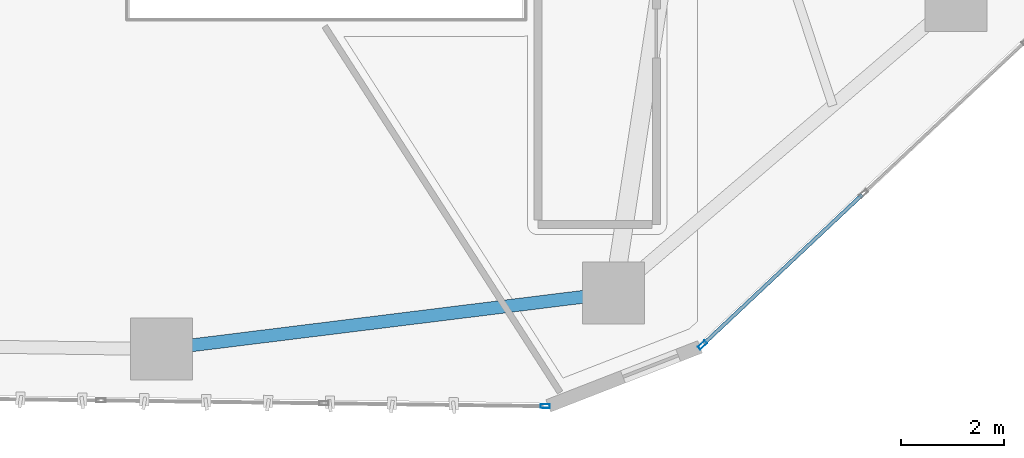
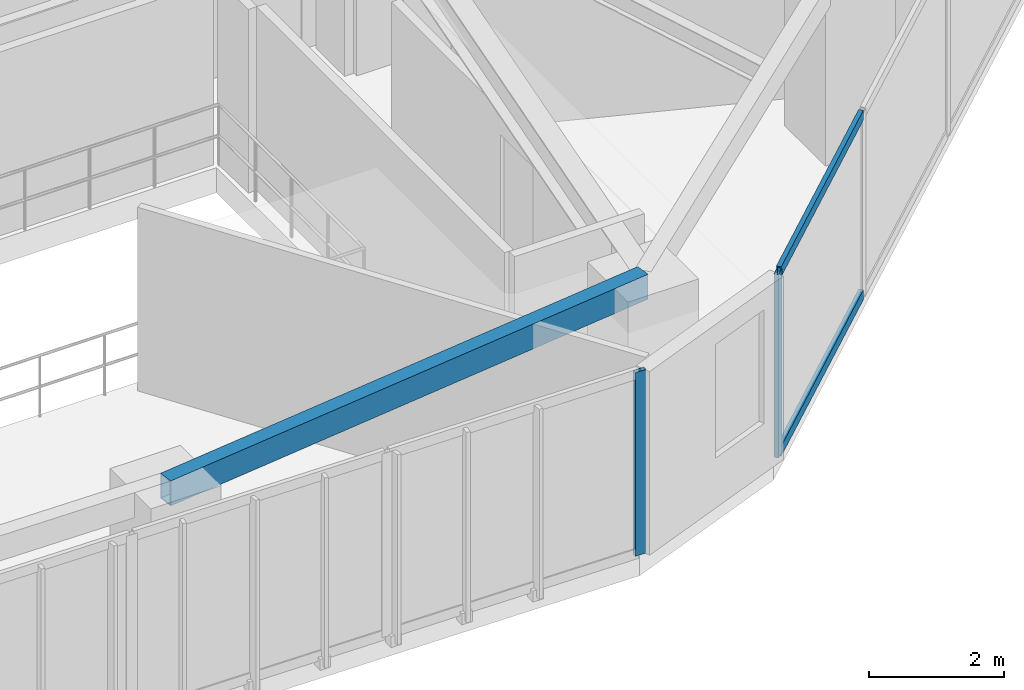
# One storey, part 6 of 22: 4 members, 1 beam, 2 elements without a shape of their own.
"""IFC4 building model written with IfcOpenShell, lengths in metres."""

from ifc_helpers import new_model, si_unit, direction, frame, origin, origin_2d, place, context, subcontext, project, spatial, hollow_rectangle, extrude, source, transform, mapped, material, layer, layer_set, material_profile, profile_set, type_object, type_shapes, element, aggregate, save


model = new_model("IFC4")

# Units and contexts
model_context = context("Model", 3, precision=1e-05, world=origin(), true_north=direction((0.0, 1.0)))
body_context = subcontext(model_context, "Body", "Model", "MODEL_VIEW")
ifc_project = project(units=[si_unit("LENGTHUNIT", "METRE"), si_unit("AREAUNIT", "SQUARE_METRE"), si_unit("VOLUMEUNIT", "CUBIC_METRE"), si_unit("PLANEANGLEUNIT", "RADIAN"), si_unit("MASSUNIT", "GRAM", prefix="KILO")], contexts=[model_context])

# Site, building, storey
site_placement = place(None, origin())
site = spatial("IfcSite", under=ifc_project, at=site_placement, CompositionType="ELEMENT")
building_placement = place(site_placement, origin())
building = spatial("IfcBuilding", under=site, at=building_placement, Name="Talar Marvaseh", CompositionType="ELEMENT")
storey_placement = place(building_placement, frame((0.0, 0.0, 89.39990234375)))
storey = spatial("IfcBuildingStorey", under=building, at=storey_placement, Name="L22", CompositionType="ELEMENT", Elevation=89.39990234375)

# Beam
ifc_material_1 = material(Name="Steel S355", Category="steel")
ifc_material_profile_1 = material_profile(ifc_material_1, hollow_rectangle(XDim=0.25, YDim=0.449951171875, WallThickness=0.01611328125, at=origin_2d()), Name="RHS450x250x16")
ifc_profile_set_1 = profile_set([ifc_material_profile_1], Name="Steel S355")
beam_type = type_object("IfcBeamType", Name="Zone 2 Perimeter Spandrel Beam RHS450x250x16", PredefinedType="SPANDREL", material=ifc_profile_set_1)
beam_placement = place(storey_placement, frame((31.570068359375, 14.26806640625, 3.085205078125), z_axis=(-0.992426007218, -0.122843885468, 0.0), x_axis=(0.122843885468, -0.992426007218, 0.0)))
element("IfcBeam", 1, at=beam_placement, inside=storey, type_object=beam_type, Name="L22 Zone 2 Perimeter Spandrel Beam RHS450x250x16", PredefinedType="SPANDREL", context=body_context, shape_type="SweptSolid", body=[
    extrude(hollow_rectangle(XDim=0.25, YDim=0.449951171875, WallThickness=0.01611328125, at=origin_2d()), origin(), (0.0, 0.0, 1.0), 8.83203125),
])

# Curtain wall, member
ifc_material_2 = material(Name="Architectural Aluminium", Category="aluminium")
ifc_layer = layer(ifc_material_2, 0.199951171875)
ifc_layer_set = layer_set([ifc_layer], Name="Architectural Aluminium")
curtain_wall_type = type_object("IfcCurtainWallType", Name="Unitised Acoustic Library Curtain Wall Z2", PredefinedType="NOTDEFINED", material=ifc_layer_set)
curtain_wall_1_placement = place(storey_placement, origin())
curtain_wall_1 = element("IfcCurtainWall", 2, at=curtain_wall_1_placement, inside=storey, type_object=curtain_wall_type, Name="L22 Unitised Acoustic Library Curtain Wall Z2", PredefinedType="NOTDEFINED")
ifc_material_profile_2 = material_profile(ifc_material_2, hollow_rectangle(XDim=0.074951171875, YDim=0.179931640625, WallThickness=0.0048828125, at=origin_2d()), Name="RHS180x75x5")
ifc_profile_set_2 = profile_set([ifc_material_profile_2], Name="Architectural Aluminium")
member_type_1 = type_object("IfcMemberType", Name="Unitised Curtain Wall Standard Mullion RHS180x75x5", PredefinedType="MULLION", material=ifc_profile_set_2)
shared_shape_1 = source(origin(), body_context, "Body", "SweptSolid", [
    extrude(hollow_rectangle(XDim=0.074951171875, YDim=0.179931640625, WallThickness=0.0048828125, at=origin_2d()), origin(), (0.0, 0.0, 1.0), 3.31005859375),
])
type_shapes(member_type_1, [shared_shape_1])
member_1_placement = place(storey_placement, frame((33.290771484375, 13.26220703125, 0.0), z_axis=(0.0, 0.0, 1.0), x_axis=(0.685069131718, -0.728478060594, 0.0)))
member_1 = element("IfcMember", 3, at=member_1_placement, type_object=member_type_1, Name="CW-Z2 mullion 6", PredefinedType="MULLION", context=body_context, shape_type="MappedRepresentation", body=[
    mapped(shared_shape_1, transform((0.0, 0.0, 0.0), x_axis=(1.0, 0.0, 0.0), y_axis=(0.0, 1.0, 0.0), z_axis=(0.0, 0.0, 1.0), scale=1.0)),
])

curtain_wall_2_placement = place(storey_placement, origin())
curtain_wall_2 = element("IfcCurtainWall", 4, at=curtain_wall_2_placement, inside=storey, type_object=curtain_wall_type, Name="L22 Unitised Acoustic Library Curtain Wall Z2", PredefinedType="NOTDEFINED")
member_2_placement = place(storey_placement, frame((30.243408203125, 12.0771484375, 0.0), z_axis=(0.0, 0.0, 1.0), x_axis=(-0.01293384095, -0.999916354381, 0.0)))
member_2 = element("IfcMember", 5, at=member_2_placement, type_object=member_type_1, Name="CW-Z2 mullion 1", PredefinedType="MULLION", context=body_context, shape_type="MappedRepresentation", body=[
    mapped(shared_shape_1, transform((0.0, 0.0, 0.0), x_axis=(1.0, 0.0, 0.0), y_axis=(0.0, 1.0, 0.0), z_axis=(0.0, 0.0, 1.0), scale=1.0)),
])
aggregate(curtain_wall_2, [member_2])

# Member
ifc_material_profile_3 = material_profile(ifc_material_2, hollow_rectangle(XDim=0.074951171875, YDim=0.179931640625, WallThickness=0.0048828125, at=origin_2d()), Name="RHS180x75x5")
ifc_profile_set_3 = profile_set([ifc_material_profile_3], Name="Architectural Aluminium")
member_type_2 = type_object("IfcMemberType", Name="Unitised Curtain Wall Transom RHS180x75x5", PredefinedType="USERDEFINED", material=ifc_profile_set_3)
shared_shape_2 = source(origin(), body_context, "Body", "SweptSolid", [
    extrude(hollow_rectangle(XDim=0.074951171875, YDim=0.179931640625, WallThickness=0.0048828125, at=origin_2d()), origin(), (0.0, 0.0, 1.0), 4.2109375),
])
type_shapes(member_type_2, [shared_shape_2])
member_3_placement = place(storey_placement, frame((36.3857421875, 16.1728515625, 0.03759765625), z_axis=(-0.728485880172, -0.685060816563, 0.0), x_axis=(0.685060816563, -0.728485880172, 0.0)))
member_3 = element("IfcMember", 6, at=member_3_placement, type_object=member_type_2, Name="CW-Z2 transom 5.1", ObjectType="TRANSOM", PredefinedType="USERDEFINED", context=body_context, shape_type="MappedRepresentation", body=[
    mapped(shared_shape_2, transform((0.0, 0.0, 0.0), x_axis=(1.0, 0.0, 0.0), y_axis=(0.0, 1.0, 0.0), z_axis=(0.0, 0.0, 1.0), scale=1.0)),
])

member_4_placement = place(storey_placement, frame((36.3857421875, 16.1728515625, 3.272705078125), z_axis=(-0.728485880172, -0.685060816563, 0.0), x_axis=(0.685060816563, -0.728485880172, 0.0)))
member_4 = element("IfcMember", 7, at=member_4_placement, type_object=member_type_2, Name="CW-Z2 transom 5.2", ObjectType="TRANSOM", PredefinedType="USERDEFINED", context=body_context, shape_type="MappedRepresentation", body=[
    mapped(shared_shape_2, transform((0.0, 0.0, 0.0), x_axis=(1.0, 0.0, 0.0), y_axis=(0.0, 1.0, 0.0), z_axis=(0.0, 0.0, 1.0), scale=1.0)),
])

aggregate(curtain_wall_1, [member_1, member_3, member_4])

save(model, "model.ifc")
